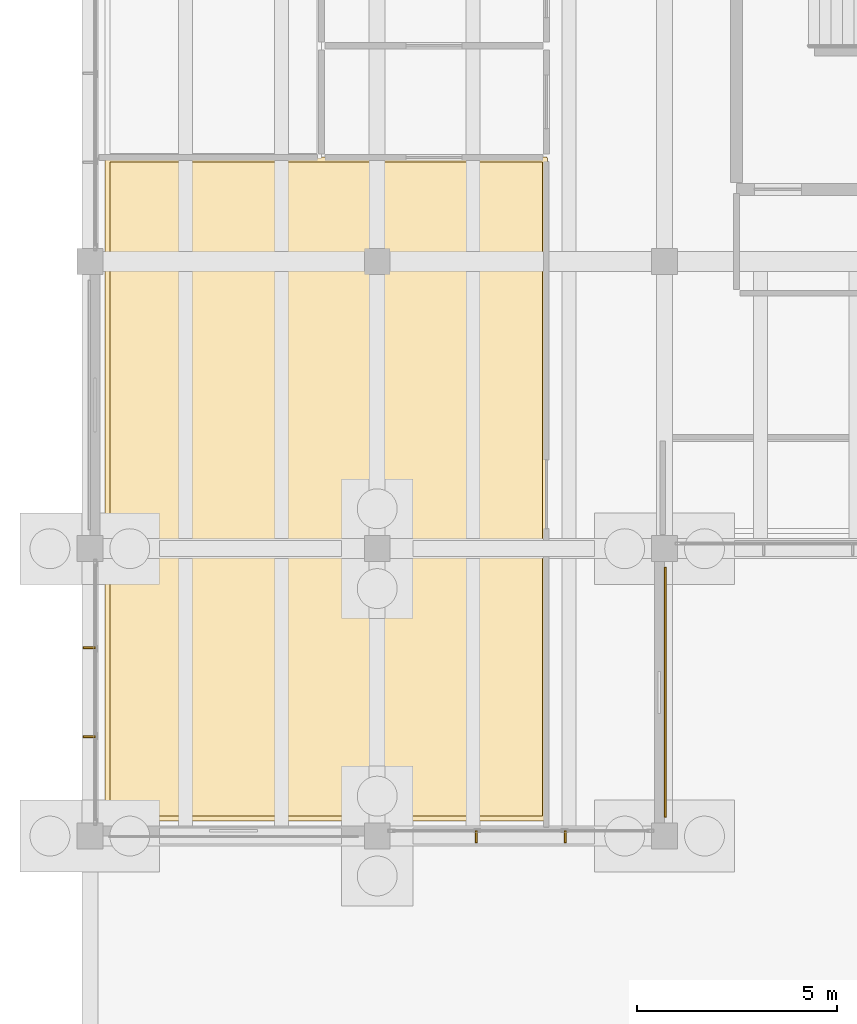
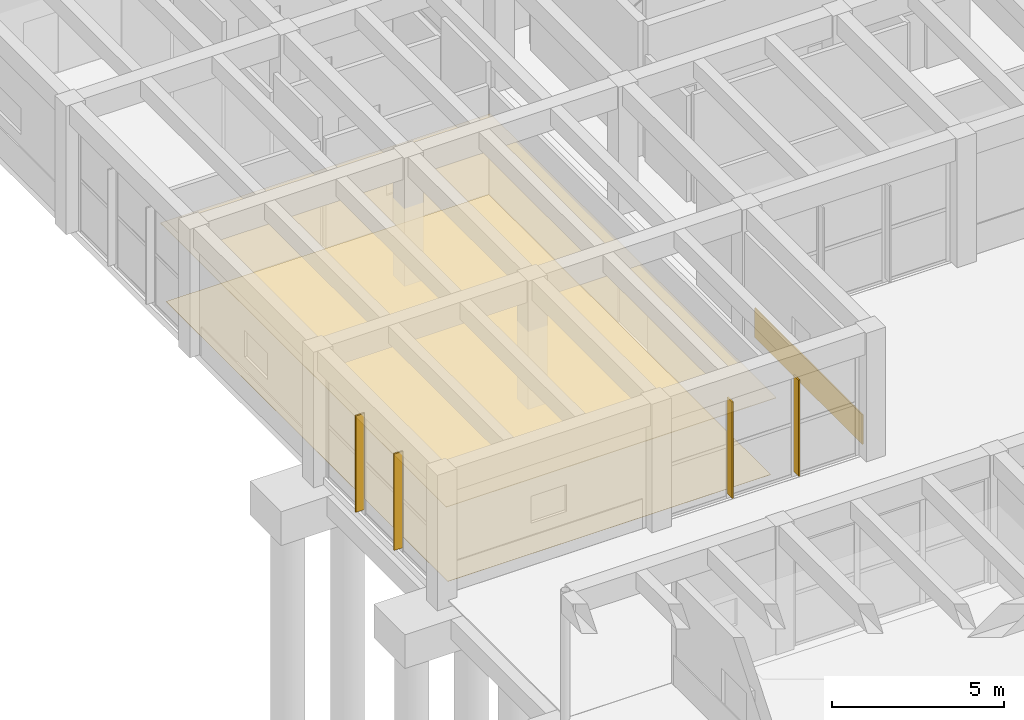
# One storey, part 143 of 155: 4 shading devices, 3 coverings.
"""IFC4 building model written with IfcOpenShell, lengths in metres."""

from ifc_helpers import new_model, si_unit, direction, frame, origin, origin_2d, place, context, subcontext, project, spatial, polyline, rectangle, outline, extrude, material, layer, layer_set, type_object, element, save


model = new_model("IFC4")

# Units and contexts
model_context = context("Model", 3, precision=1e-05, world=origin(), true_north=direction((0.0, 1.0)))
body_context = subcontext(model_context, "Body", "Model", "MODEL_VIEW")
ifc_project = project(units=[si_unit("LENGTHUNIT", "METRE"), si_unit("AREAUNIT", "SQUARE_METRE"), si_unit("VOLUMEUNIT", "CUBIC_METRE"), si_unit("PLANEANGLEUNIT", "RADIAN"), si_unit("MASSUNIT", "GRAM", prefix="KILO")], contexts=[model_context])

# Site, building, storey
site_placement = place(None, origin())
site = spatial("IfcSite", under=ifc_project, at=site_placement, CompositionType="ELEMENT")
building_placement = place(site_placement, origin())
building = spatial("IfcBuilding", under=site, at=building_placement, Name="Bramvelor Terrace Health Centre", CompositionType="ELEMENT")
storey_placement = place(building_placement, origin())
storey = spatial("IfcBuildingStorey", under=building, at=storey_placement, Name="L01", CompositionType="ELEMENT", Elevation=0.0)

# Coverings
ifc_material_1 = material(Name="Honed volcanic tuff rainscreen stone", Category="masonry")
ifc_layer_1 = layer(ifc_material_1, 0.0400390625)
ifc_layer_set_1 = layer_set([ifc_layer_1], Name="Honed volcanic tuff rainscreen stone")
covering_type_1 = type_object("IfcCoveringType", Name="COV-CLAD-TUF", PredefinedType="CLADDING", material=ifc_layer_set_1)
covering_1_placement = place(storey_placement, frame((14.4150390625, 75.60009765625, 0.02490234375), z_axis=(0.0, 0.0, 1.0), x_axis=(1.0, 0.0, 0.0)))
element("IfcCovering", 1, at=covering_1_placement, inside=storey, type_object=covering_type_1, Name="L01 Volcanic Tuff Rainscreen Spandrel 19", PredefinedType="CLADDING", context=body_context, shape_type="SweptSolid", body=[
    extrude(rectangle(XDim=0.0400390625, YDim=6.260009765625, at=origin_2d()), origin(), (0.0, 0.0, 1.0), 1.050048828125),
])
ifc_material_2 = material(Name="Hygienic mineral-fibre acoustic ceiling", Category="gypsum")
ifc_layer_2 = layer(ifc_material_2, 0.02001953125)
ifc_layer_set_2 = layer_set([ifc_layer_2], Name="Hygienic mineral-fibre acoustic ceiling")
covering_type_2 = type_object("IfcCoveringType", Name="COV-CLG-ACT", PredefinedType="CEILING", material=ifc_layer_set_2)
covering_2_placement = place(storey_placement, frame((0.0, 0.0, 2.75)))
element("IfcCovering", 2, at=covering_2_placement, inside=storey, type_object=covering_type_2, Name="L01 General Practice Consultation Suite 1 Acoustic Ceiling", PredefinedType="CEILING", context=body_context, shape_type="SweptSolid", body=[
    extrude(outline(polyline([(0.3798828125, 88.989990234375), (0.380126953125, 88.991943359375), (0.38037109375, 88.993896484375), (0.380859375, 88.995849609375), (0.381591796875, 88.997802734375), (0.38232421875, 88.99951171875), (0.38330078125, 89.001220703125), (0.384521484375, 89.002685546875), (0.385986328125, 89.004150390625), (0.38720703125, 89.005615234375), (0.388916015625, 89.006591796875), (0.390625, 89.007568359375), (0.392333984375, 89.008544921875), (0.394287109375, 89.009033203125), (0.39599609375, 89.009521484375), (0.39794921875, 89.010009765625), (0.39990234375, 89.010009765625), (11.43994140625, 89.010009765625), (11.44189453125, 89.010009765625), (11.44384765625, 89.009521484375), (11.44580078125, 89.009033203125), (11.44775390625, 89.008544921875), (11.449462890625, 89.007568359375), (11.451171875, 89.006591796875), (11.45263671875, 89.005615234375), (11.4541015625, 89.004150390625), (11.45556640625, 89.002685546875), (11.45654296875, 89.001220703125), (11.45751953125, 88.99951171875), (11.45849609375, 88.997802734375), (11.458984375, 88.995849609375), (11.459716796875, 88.993896484375), (11.4599609375, 88.991943359375), (11.4599609375, 88.989990234375), (11.4599609375, 72.39990234375), (11.4599609375, 72.39794921875), (11.459716796875, 72.39599609375), (11.458984375, 72.394287109375), (11.45849609375, 72.392333984375), (11.45751953125, 72.390625), (11.45654296875, 72.388916015625), (11.45556640625, 72.38720703125), (11.4541015625, 72.385986328125), (11.45263671875, 72.384521484375), (11.451171875, 72.38330078125), (11.449462890625, 72.38232421875), (11.44775390625, 72.381591796875), (11.44580078125, 72.380859375), (11.44384765625, 72.38037109375), (11.44189453125, 72.380126953125), (11.43994140625, 72.3798828125), (0.39990234375, 72.3798828125), (0.39794921875, 72.380126953125), (0.39599609375, 72.38037109375), (0.394287109375, 72.380859375), (0.392333984375, 72.381591796875), (0.390625, 72.38232421875), (0.388916015625, 72.38330078125), (0.38720703125, 72.384521484375), (0.385986328125, 72.385986328125), (0.384521484375, 72.38720703125), (0.38330078125, 72.388916015625), (0.38232421875, 72.390625), (0.381591796875, 72.392333984375), (0.380859375, 72.394287109375), (0.38037109375, 72.39599609375), (0.380126953125, 72.39794921875), (0.3798828125, 72.39990234375), (0.3798828125, 88.989990234375)])), origin(), (0.0, 0.0, 1.0), 0.02001953125),
])
ifc_material_3 = material(Name="Seamless antimicrobial clinical vinyl", Category="polymer")
ifc_layer_3 = layer(ifc_material_3, 0.008056640625)
ifc_layer_set_3 = layer_set([ifc_layer_3], Name="Seamless antimicrobial clinical vinyl")
covering_type_3 = type_object("IfcCoveringType", Name="COV-FLR-VNL", PredefinedType="FLOORING", material=ifc_layer_set_3)
covering_3_placement = place(storey_placement, origin())
element("IfcCovering", 3, at=covering_3_placement, inside=storey, type_object=covering_type_3, Name="L01 General Practice Consultation Suite 1 Clinical Vinyl Flooring", PredefinedType="FLOORING", context=body_context, shape_type="SweptSolid", body=[
    extrude(outline(polyline([(0.5, 88.889892578125), (11.340087890625, 88.889892578125), (11.340087890625, 72.5), (0.5, 72.5), (0.5, 88.889892578125)])), origin(), (0.0, 0.0, 1.0), 0.008056640625),
])

# Shading devices
ifc_material_4 = material(Name="Anodized aluminium 6063-T6", Category="aluminium")
ifc_layer_4 = layer(ifc_material_4, 0.050048828125)
ifc_layer_set_4 = layer_set([ifc_layer_4], Name="Anodized aluminium 6063-T6")
shading_device_type = type_object("IfcShadingDeviceType", Name="SHD-FIN-300", PredefinedType="JALOUSIE", material=ifc_layer_set_4)
for number, where, z_axis, x_axis, name in (
    (4, (11.915283203125, 71.97998046875, 0.150146484375), (0.0, 0.0, 1.0), (1.0, 0.0, 0.0), "L01 Solar Shading Louvre Fin 13"),
    (5, (9.684814453125, 71.97998046875, 0.150146484375), (0.0, 0.0, 1.0), (1.0, 0.0, 0.0), "L01 Solar Shading Louvre Fin 14"),
):
    element("IfcShadingDevice", number, at=place(storey_placement, frame(where, z_axis=z_axis, x_axis=x_axis)), inside=storey, type_object=shading_device_type, Name=name, PredefinedType="JALOUSIE", context=body_context, shape_type="SweptSolid", body=[
        extrude(rectangle(XDim=0.050048828125, YDim=0.300048828125, at=origin_2d()), origin(), (0.0, 0.0, 1.0), 3.419921875),
    ])
for number, where, z_axis, x_axis, name in (
    (6, (-0.02001953125, 74.48486328125, 0.150146484375), (0.0, 0.0, 1.0), (1.0, 0.0, 0.0), "L01 Solar Shading Louvre Fin 15"),
    (7, (-0.02001953125, 76.715087890625, 0.150146484375), (0.0, 0.0, 1.0), (1.0, 0.0, 0.0), "L01 Solar Shading Louvre Fin 16"),
):
    element("IfcShadingDevice", number, at=place(storey_placement, frame(where, z_axis=z_axis, x_axis=x_axis)), inside=storey, type_object=shading_device_type, Name=name, PredefinedType="JALOUSIE", context=body_context, shape_type="SweptSolid", body=[
        extrude(rectangle(XDim=0.300048828125, YDim=0.050048828125, at=origin_2d()), origin(), (0.0, 0.0, 1.0), 3.419921875),
    ])

save(model, "model.ifc")
